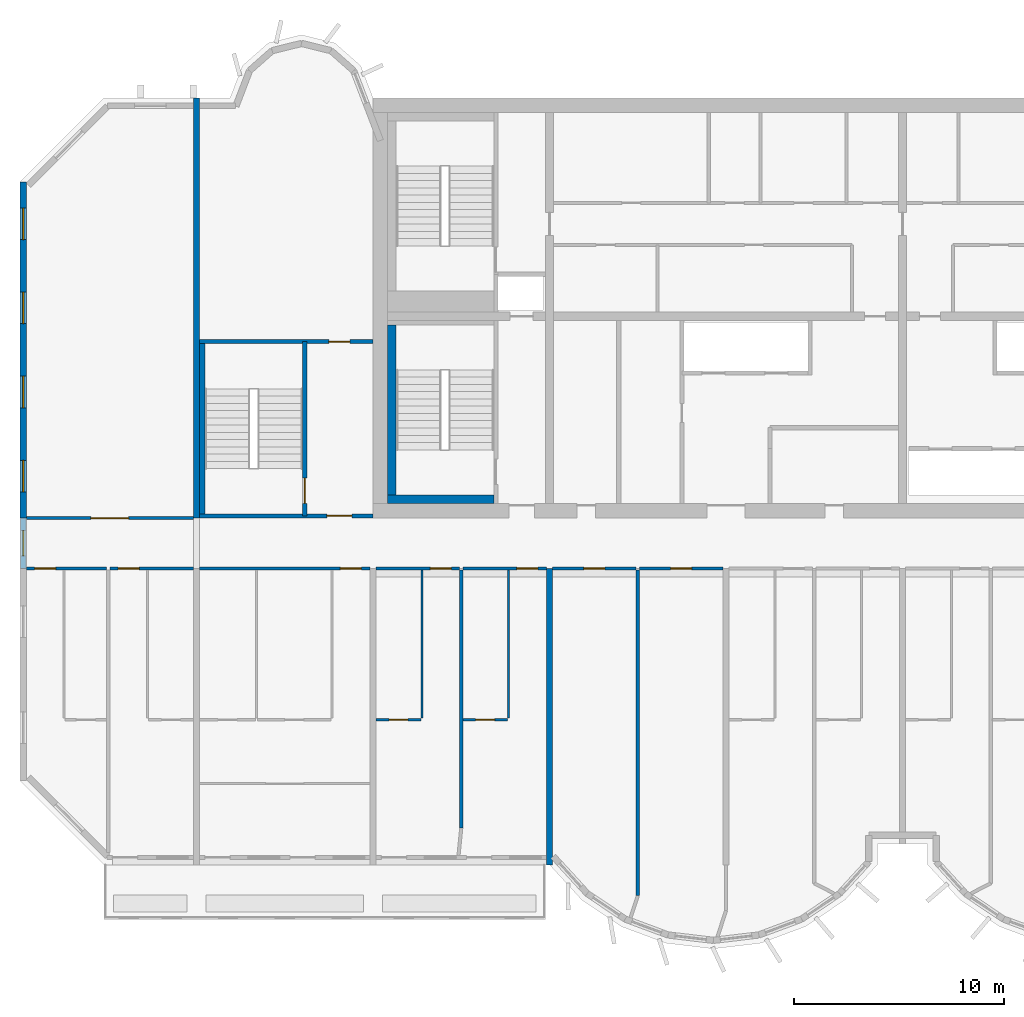
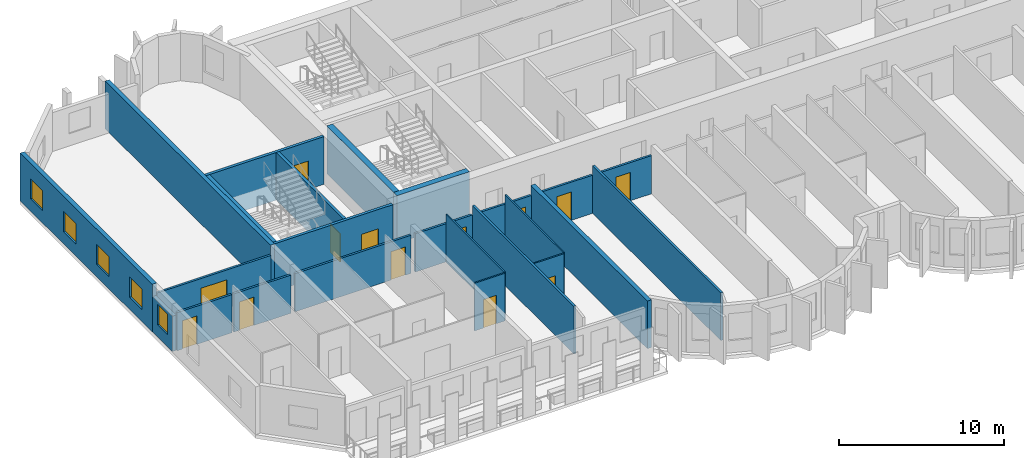
# One storey, part 3 of 13: 24 walls, 13 doors, 5 windows, 18 openings.
"""IFC4 building model written with IfcOpenShell, lengths in metres."""

from ifc_helpers import new_model, si_unit, direction, frame, frame_2d, origin, place, context, subcontext, project, spatial, rectangle, extrude, source, transform, mapped, material, layer, layer_set, type_object, element, fill, save


model = new_model("IFC4")

# Units and contexts
model_context = context("Model", 3, precision=1e-05, world=origin(), true_north=direction((0.0, 1.0)))
body_context = subcontext(model_context, "Body", "Model", "MODEL_VIEW")
ifc_project = project(units=[si_unit("LENGTHUNIT", "METRE"), si_unit("AREAUNIT", "SQUARE_METRE"), si_unit("VOLUMEUNIT", "CUBIC_METRE"), si_unit("PLANEANGLEUNIT", "RADIAN"), si_unit("MASSUNIT", "GRAM", prefix="KILO")], contexts=[model_context])

# Site, building, storey
site_placement = place(None, origin())
site = spatial("IfcSite", under=ifc_project, at=site_placement, CompositionType="ELEMENT")
building_placement = place(site_placement, origin())
building = spatial("IfcBuilding", under=site, at=building_placement, Name="Vanashikhar Sky Hotel", CompositionType="ELEMENT")
storey_placement = place(building_placement, frame((0.0, 0.0, 170.60009765625)))
storey = spatial("IfcBuildingStorey", under=building, at=storey_placement, Name="L41", CompositionType="ELEMENT", Elevation=170.60009765625)

# Wall, openings, windows
ifc_material_1 = material(Name="Concrete M60", Category="concrete")
ifc_layer_1 = layer(ifc_material_1, 0.300048828125)
ifc_layer_set_1 = layer_set([ifc_layer_1], Name="RC shear wall 300 Concrete M60")
wall_type_1 = type_object("IfcWallType", Name="RC shear wall 300 Concrete M60", PredefinedType="SHEAR", material=ifc_layer_set_1)
shared_shape_1 = source(origin(), body_context, "Body", "SweptSolid", [
    extrude(rectangle(XDim=16.0, YDim=0.300048828125, at=frame_2d((8.0, 0.0))), origin(), (0.0, 0.0, 1.0), 3.52001953125),
])
wall_1_placement = place(storey_placement, frame((8.550048828125, 22.0, 0.0), z_axis=(0.0, 0.0, 1.0), x_axis=(0.0, 1.0, 0.0)))
wall_1 = element("IfcWall", 1, at=wall_1_placement, inside=storey, type_object=wall_type_1, Name="CW-L41-XW02-2", PredefinedType="SHEAR", context=body_context, shape_type="MappedRepresentation", body=[
    mapped(shared_shape_1, transform((0.0, 0.0, 0.0), scale=1.0)),
])
shared_shape_2 = source(origin(), body_context, "Body", "SweptSolid", [
    extrude(rectangle(XDim=1.5, YDim=1.5, at=frame_2d((0.75, 0.75))), frame((0.0, 0.16015625, 0.0), z_axis=(0.0, -1.0, 0.0), x_axis=(1.0, 0.0, 0.0)), (0.0, 0.0, 1.0), 0.320068359375),
])
opening_1_placement = place(wall_1_placement, frame((1.25, 0.0, 0.89990234375)))
opening_1 = element("IfcOpeningElement", 2, at=opening_1_placement, cuts=wall_1, Name="Opening WN-1", PredefinedType="OPENING", context=body_context, shape_type="MappedRepresentation", body=[
    mapped(shared_shape_2, transform((0.0, 0.0, 0.0), scale=1.0)),
])
opening_2_placement = place(wall_1_placement, frame((5.25, 0.0, 0.89990234375)))
opening_2 = element("IfcOpeningElement", 3, at=opening_2_placement, cuts=wall_1, Name="Opening WN-1", PredefinedType="OPENING", context=body_context, shape_type="MappedRepresentation", body=[
    mapped(shared_shape_2, transform((0.0, 0.0, 0.0), scale=1.0)),
])
opening_3_placement = place(wall_1_placement, frame((9.25, 0.0, 0.89990234375)))
opening_3 = element("IfcOpeningElement", 4, at=opening_3_placement, cuts=wall_1, Name="Opening WN-1", PredefinedType="OPENING", context=body_context, shape_type="MappedRepresentation", body=[
    mapped(shared_shape_2, transform((0.0, 0.0, 0.0), scale=1.0)),
])
opening_4_placement = place(wall_1_placement, frame((13.25, 0.0, 0.89990234375)))
opening_4 = element("IfcOpeningElement", 5, at=opening_4_placement, cuts=wall_1, Name="Opening WN-1", PredefinedType="OPENING", context=body_context, shape_type="MappedRepresentation", body=[
    mapped(shared_shape_2, transform((0.0, 0.0, 0.0), scale=1.0)),
])
ifc_material_2 = material(Name="Glass", Category="glass")
window_type_1 = type_object("IfcWindowType", Name="Window 1500 x 1500", PartitioningType="SINGLE_PANEL", PredefinedType="WINDOW", material=ifc_material_2)
shared_shape_3 = source(origin(), body_context, "Body", "SweptSolid", [
    extrude(rectangle(XDim=1.5, YDim=1.5, at=frame_2d((0.75, 0.75))), frame((0.0, 0.030029296875, 0.0), z_axis=(0.0, -1.0, 0.0), x_axis=(1.0, 0.0, 0.0)), (0.0, 0.0, 1.0), 0.06005859375),
])
window_1_placement = place(opening_1_placement, origin())
window_1 = element("IfcWindow", 6, at=window_1_placement, inside=storey, type_object=window_type_1, Name="Window WN-1", OverallHeight=1.5, OverallWidth=1.5, PartitioningType="SINGLE_PANEL", PredefinedType="WINDOW", context=body_context, shape_type="MappedRepresentation", body=[
    mapped(shared_shape_3, transform((0.0, 0.0, 0.0), scale=1.0)),
])
fill(opening_1, window_1)
window_2_placement = place(opening_2_placement, origin())
window_2 = element("IfcWindow", 7, at=window_2_placement, inside=storey, type_object=window_type_1, Name="Window WN-1", OverallHeight=1.5, OverallWidth=1.5, PartitioningType="SINGLE_PANEL", PredefinedType="WINDOW", context=body_context, shape_type="MappedRepresentation", body=[
    mapped(shared_shape_3, transform((0.0, 0.0, 0.0), scale=1.0)),
])
fill(opening_2, window_2)
window_3_placement = place(opening_3_placement, origin())
window_3 = element("IfcWindow", 8, at=window_3_placement, inside=storey, type_object=window_type_1, Name="Window WN-1", OverallHeight=1.5, OverallWidth=1.5, PartitioningType="SINGLE_PANEL", PredefinedType="WINDOW", context=body_context, shape_type="MappedRepresentation", body=[
    mapped(shared_shape_3, transform((0.0, 0.0, 0.0), scale=1.0)),
])
fill(opening_3, window_3)
window_4_placement = place(opening_4_placement, origin())
window_4 = element("IfcWindow", 9, at=window_4_placement, inside=storey, type_object=window_type_1, Name="Window WN-1", OverallHeight=1.5, OverallWidth=1.5, PartitioningType="SINGLE_PANEL", PredefinedType="WINDOW", context=body_context, shape_type="MappedRepresentation", body=[
    mapped(shared_shape_3, transform((0.0, 0.0, 0.0), scale=1.0)),
])
fill(opening_4, window_4)

# Walls
shared_shape_4 = source(origin(), body_context, "Body", "SweptSolid", [
    extrude(rectangle(XDim=14.10009765625, YDim=0.300048828125, at=frame_2d((7.050048828125, 0.0))), origin(), (0.0, 0.0, 1.0), 3.52001953125),
])
wall_2_placement = place(storey_placement, frame((33.60009765625, 5.5, 0.0), z_axis=(0.0, 0.0, 1.0), x_axis=(0.0, 1.0, 0.0)))
element("IfcWall", 10, at=wall_2_placement, inside=storey, type_object=wall_type_1, Name="CW-L41-XW05-1", PredefinedType="SHEAR", context=body_context, shape_type="MappedRepresentation", body=[
    mapped(shared_shape_4, transform((0.0, 0.0, 0.0), scale=1.0)),
])
shared_shape_5 = source(origin(), body_context, "Body", "SweptSolid", [
    extrude(rectangle(XDim=20.0, YDim=0.300048828125, at=frame_2d((10.0, 0.0))), origin(), (0.0, 0.0, 1.0), 3.52001953125),
])
wall_3_placement = place(storey_placement, frame((16.800048828125, 22.0, 0.0), z_axis=(0.0, 0.0, 1.0), x_axis=(0.0, 1.0, 0.0)))
element("IfcWall", 11, at=wall_3_placement, inside=storey, type_object=wall_type_1, Name="CW-L41-XW03-2", PredefinedType="SHEAR", context=body_context, shape_type="MappedRepresentation", body=[
    mapped(shared_shape_5, transform((0.0, 0.0, 0.0), scale=1.0)),
])

# Wall, opening, window
ifc_material_3 = material(Name="Concrete M50", Category="concrete")
ifc_layer_2 = layer(ifc_material_3, 0.25)
ifc_layer_set_2 = layer_set([ifc_layer_2], Name="Rear and end board-marked wall 250")
wall_type_2 = type_object("IfcWallType", Name="Rear and end board-marked wall 250", PredefinedType="SOLIDWALL", material=ifc_layer_set_2)
shared_shape_6 = source(origin(), body_context, "Body", "SweptSolid", [
    extrude(rectangle(XDim=2.39990234375, YDim=0.25, at=frame_2d((1.199951171875, 0.0))), origin(), (0.0, 0.0, 1.0), 2.619873046875),
])
wall_4_placement = place(storey_placement, frame((8.550048828125, 19.60009765625, 0.0), z_axis=(0.0, 0.0, 1.0), x_axis=(0.0, 1.0, 0.0)))
wall_4 = element("IfcWall", 12, at=wall_4_placement, inside=storey, type_object=wall_type_2, Name="End corridor infill wall", PredefinedType="SOLIDWALL", context=body_context, shape_type="MappedRepresentation", body=[
    mapped(shared_shape_6, transform((0.0, 0.0, 0.0), scale=1.0)),
])
shared_shape_7 = source(origin(), body_context, "Body", "SweptSolid", [
    extrude(rectangle(XDim=1.199951171875, YDim=1.5, at=frame_2d((0.60009765625, 0.75))), frame((0.0, 0.135009765625, 0.0), z_axis=(0.0, -1.0, 0.0), x_axis=(1.0, 0.0, 0.0)), (0.0, 0.0, 1.0), 0.27001953125),
])
opening_5_placement = place(wall_4_placement, frame((0.60009765625, 0.0, 0.89990234375)))
opening_5 = element("IfcOpeningElement", 13, at=opening_5_placement, cuts=wall_4, Name="Opening WN-3", PredefinedType="OPENING", context=body_context, shape_type="MappedRepresentation", body=[
    mapped(shared_shape_7, transform((0.0, 0.0, 0.0), scale=1.0)),
])
window_type_2 = type_object("IfcWindowType", Name="Corridor end window 1200 x 1500", PartitioningType="SINGLE_PANEL", PredefinedType="WINDOW", material=ifc_material_2)
shared_shape_8 = source(origin(), body_context, "Body", "SweptSolid", [
    extrude(rectangle(XDim=1.199951171875, YDim=1.5, at=frame_2d((0.60009765625, 0.75))), frame((0.0, 0.030029296875, 0.0), z_axis=(0.0, -1.0, 0.0), x_axis=(1.0, 0.0, 0.0)), (0.0, 0.0, 1.0), 0.06005859375),
])
window_5_placement = place(opening_5_placement, origin())
window_5 = element("IfcWindow", 14, at=window_5_placement, inside=storey, type_object=window_type_2, Name="Window WN-3", OverallHeight=1.5, OverallWidth=1.199951171875, PartitioningType="SINGLE_PANEL", PredefinedType="WINDOW", context=body_context, shape_type="MappedRepresentation", body=[
    mapped(shared_shape_8, transform((0.0, 0.0, 0.0), scale=1.0)),
])
fill(opening_5, window_5)

# Wall, opening, door
ifc_layer_3 = layer(ifc_material_3, 0.199951171875)
ifc_layer_set_3 = layer_set([ifc_layer_3], Name="Stair wall 200")
wall_type_3 = type_object("IfcWallType", Name="Stair wall 200", PredefinedType="SOLIDWALL", material=ifc_layer_set_3)
shared_shape_9 = source(origin(), body_context, "Body", "SweptSolid", [
    extrude(rectangle(XDim=8.2998046875, YDim=0.199951171875, at=frame_2d((4.14990234375, 0.0))), origin(), (0.0, 0.0, 1.0), 3.52001953125),
])
wall_5_placement = place(storey_placement, frame((21.949951171875, 22.10009765625, 0.0), z_axis=(0.0, 0.0, 1.0), x_axis=(0.0, 1.0, 0.0)))
wall_5 = element("IfcWall", 15, at=wall_5_placement, inside=storey, type_object=wall_type_3, Name="Stair wall 200", PredefinedType="SOLIDWALL", context=body_context, shape_type="MappedRepresentation", body=[
    mapped(shared_shape_9, transform((0.0, 0.0, 0.0), scale=1.0)),
])
shared_shape_10 = source(origin(), body_context, "Body", "SweptSolid", [
    extrude(rectangle(XDim=1.199951171875, YDim=2.10009765625, at=frame_2d((0.60009765625, 1.050048828125))), frame((0.0, 0.10986328125, 0.0), z_axis=(0.0, -1.0, 0.0), x_axis=(1.0, 0.0, 0.0)), (0.0, 0.0, 1.0), 0.219970703125),
])
opening_6_placement = place(wall_5_placement, frame((0.60009765625, 0.0, 0.0)))
opening_6 = element("IfcOpeningElement", 16, at=opening_6_placement, cuts=wall_5, Name="Opening DC-1", PredefinedType="OPENING", context=body_context, shape_type="MappedRepresentation", body=[
    mapped(shared_shape_10, transform((0.0, 0.0, 0.0), scale=1.0)),
])
ifc_material_4 = material(Name="Steel", Category="steel")
door_type_1 = type_object("IfcDoorType", Name="Stair door 1200 FD120", OperationType="NOTDEFINED", PredefinedType="DOOR", material=ifc_material_4)
shared_shape_11 = source(origin(), body_context, "Body", "SweptSolid", [
    extrude(rectangle(XDim=1.199951171875, YDim=2.10009765625, at=frame_2d((0.60009765625, 1.050048828125))), frame((0.0, 0.02490234375, 0.0), z_axis=(0.0, -1.0, 0.0), x_axis=(1.0, 0.0, 0.0)), (0.0, 0.0, 1.0), 0.050048828125),
])
door_1_placement = place(opening_6_placement, origin())
door_1 = element("IfcDoor", 17, at=door_1_placement, inside=storey, type_object=door_type_1, Name="Stair door 1200 FD120", OperationType="SINGLE_SWING_RIGHT", OverallHeight=2.10009765625, OverallWidth=1.199951171875, PredefinedType="DOOR", context=body_context, shape_type="MappedRepresentation", body=[
    mapped(shared_shape_11, transform((0.0, 0.0, 0.0), scale=1.0)),
])
fill(opening_6, door_1)

shared_shape_12 = source(origin(), body_context, "Body", "SweptSolid", [
    extrude(rectangle(XDim=8.25, YDim=0.199951171875, at=frame_2d((4.125, 0.0))), origin(), (0.0, 0.0, 1.0), 3.52001953125),
])
wall_6_placement = place(storey_placement, frame((16.949951171875, 22.10009765625, 0.0), z_axis=(0.0, 0.0, 1.0), x_axis=(1.0, 0.0, 0.0)))
wall_6 = element("IfcWall", 18, at=wall_6_placement, inside=storey, type_object=wall_type_3, Name="Stair wall 200", PredefinedType="SOLIDWALL", context=body_context, shape_type="MappedRepresentation", body=[
    mapped(shared_shape_12, transform((0.0, 0.0, 0.0), scale=1.0)),
])
opening_7_placement = place(wall_6_placement, frame((6.050048828125, 0.0, 0.0)))
opening_7 = element("IfcOpeningElement", 19, at=opening_7_placement, cuts=wall_6, Name="Opening DC-2", PredefinedType="OPENING", context=body_context, shape_type="MappedRepresentation", body=[
    mapped(shared_shape_10, transform((0.0, 0.0, 0.0), scale=1.0)),
])
door_type_2 = type_object("IfcDoorType", Name="Firefighting lobby door 1200 FD120", OperationType="NOTDEFINED", PredefinedType="DOOR", material=ifc_material_4)
door_2_placement = place(opening_7_placement, origin())
door_2 = element("IfcDoor", 20, at=door_2_placement, inside=storey, type_object=door_type_2, Name="Firefighting lobby door 1200 FD120", OperationType="SINGLE_SWING_LEFT", OverallHeight=2.10009765625, OverallWidth=1.199951171875, PredefinedType="DOOR", context=body_context, shape_type="MappedRepresentation", body=[
    mapped(shared_shape_11, transform((0.0, 0.0, 0.0), scale=1.0)),
])
fill(opening_7, door_2)

wall_7_placement = place(storey_placement, frame((16.949951171875, 30.39990234375, 0.0), z_axis=(0.0, 0.0, 1.0), x_axis=(1.0, 0.0, 0.0)))
wall_7 = element("IfcWall", 21, at=wall_7_placement, inside=storey, type_object=wall_type_3, Name="Stair wall 200", PredefinedType="SOLIDWALL", context=body_context, shape_type="MappedRepresentation", body=[
    mapped(shared_shape_12, transform((0.0, 0.0, 0.0), scale=1.0)),
])
shared_shape_13 = source(origin(), body_context, "Body", "SweptSolid", [
    extrude(rectangle(XDim=1.0, YDim=2.10009765625, at=frame_2d((0.5, 1.050048828125))), frame((0.0, 0.10986328125, 0.0), z_axis=(0.0, -1.0, 0.0), x_axis=(1.0, 0.0, 0.0)), (0.0, 0.0, 1.0), 0.219970703125),
])
opening_8_placement = place(wall_7_placement, frame((6.14990234375, 0.0, 0.0)))
opening_8 = element("IfcOpeningElement", 22, at=opening_8_placement, cuts=wall_7, Name="Opening DC-6", PredefinedType="OPENING", context=body_context, shape_type="MappedRepresentation", body=[
    mapped(shared_shape_13, transform((0.0, 0.0, 0.0), scale=1.0)),
])
door_type_3 = type_object("IfcDoorType", Name="Pocket door 1000 FD60", OperationType="NOTDEFINED", PredefinedType="DOOR", material=ifc_material_4)
shared_shape_14 = source(origin(), body_context, "Body", "SweptSolid", [
    extrude(rectangle(XDim=1.0, YDim=2.10009765625, at=frame_2d((0.5, 1.050048828125))), frame((0.0, 0.02490234375, 0.0), z_axis=(0.0, -1.0, 0.0), x_axis=(1.0, 0.0, 0.0)), (0.0, 0.0, 1.0), 0.050048828125),
])
door_3_placement = place(opening_8_placement, origin())
door_3 = element("IfcDoor", 23, at=door_3_placement, inside=storey, type_object=door_type_3, Name="Pocket door 1000 FD60", OperationType="SINGLE_SWING_LEFT", OverallHeight=2.10009765625, OverallWidth=1.0, PredefinedType="DOOR", context=body_context, shape_type="MappedRepresentation", body=[
    mapped(shared_shape_14, transform((0.0, 0.0, 0.0), scale=1.0)),
])
fill(opening_8, door_3)

# Walls
ifc_layer_4 = layer(ifc_material_3, 0.39990234375)
ifc_layer_set_4 = layer_set([ifc_layer_4], Name="Stair infill wall 400")
wall_type_4 = type_object("IfcWallType", Name="Stair infill wall 400", PredefinedType="SOLIDWALL", material=ifc_layer_set_4)
shared_shape_15 = source(origin(), body_context, "Body", "SweptSolid", [
    extrude(rectangle(XDim=5.050048828125, YDim=0.39990234375, at=frame_2d((2.52490234375, 0.0))), origin(), (0.0, 0.0, 1.0), 3.52001953125),
])
wall_8_placement = place(storey_placement, frame((25.89990234375, 22.89990234375, 0.0), z_axis=(0.0, 0.0, 1.0), x_axis=(1.0, 0.0, 0.0)))
element("IfcWall", 24, at=wall_8_placement, inside=storey, type_object=wall_type_4, Name="Stair infill wall 400", PredefinedType="SOLIDWALL", context=body_context, shape_type="MappedRepresentation", body=[
    mapped(shared_shape_15, transform((0.0, 0.0, 0.0), scale=1.0)),
])
shared_shape_16 = source(origin(), body_context, "Body", "SweptSolid", [
    extrude(rectangle(XDim=8.099853515625, YDim=0.39990234375, at=frame_2d((4.0498046875, 0.0))), origin(), (0.0, 0.0, 1.0), 3.52001953125),
])
wall_9_placement = place(storey_placement, frame((26.10009765625, 23.10009765625, 0.0), z_axis=(0.0, 0.0, 1.0), x_axis=(0.0, 1.0, 0.0)))
element("IfcWall", 25, at=wall_9_placement, inside=storey, type_object=wall_type_4, Name="Stair infill wall 400", PredefinedType="SOLIDWALL", context=body_context, shape_type="MappedRepresentation", body=[
    mapped(shared_shape_16, transform((0.0, 0.0, 0.0), scale=1.0)),
])
ifc_layer_5 = layer(ifc_material_3, 0.25)
ifc_layer_set_5 = layer_set([ifc_layer_5], Name="Stair infill wall 250")
wall_type_5 = type_object("IfcWallType", Name="Stair infill wall 250", PredefinedType="SOLIDWALL", material=ifc_layer_set_5)
shared_shape_17 = source(origin(), body_context, "Body", "SweptSolid", [
    extrude(rectangle(XDim=8.10009765625, YDim=0.25, at=frame_2d((4.050048828125, 0.0))), origin(), (0.0, 0.0, 1.0), 3.52001953125),
])
wall_10_placement = place(storey_placement, frame((17.074951171875, 22.199951171875, 0.0), z_axis=(0.0, 0.0, 1.0), x_axis=(0.0, 1.0, 0.0)))
element("IfcWall", 26, at=wall_10_placement, inside=storey, type_object=wall_type_5, Name="Stair infill wall 250", PredefinedType="SOLIDWALL", context=body_context, shape_type="MappedRepresentation", body=[
    mapped(shared_shape_17, transform((0.0, 0.0, 0.0), scale=1.0)),
])
ifc_material_5 = material(Name="Gypsum plasterboard partition")
ifc_layer_6 = layer(ifc_material_5, 0.10009765625)
ifc_layer_set_6 = layer_set([ifc_layer_6], Name="Wet room partition 100")
wall_type_6 = type_object("IfcWallType", Name="Wet room partition 100", PredefinedType="PARTITIONING", material=ifc_layer_set_6)
shared_shape_18 = source(origin(), body_context, "Body", "SweptSolid", [
    extrude(rectangle(XDim=7.0498046875, YDim=0.10009765625, at=frame_2d((3.52490234375, 0.0))), origin(), (0.0, 0.0, 1.0), 3.52001953125),
])
for number, where, z_axis, x_axis, name in (
    (27, (27.52490234375, 12.47509765625, 0.0), (0.0, 0.0, 1.0), (0.0, 1.0, 0.0), "W-L41-PW014"),
    (28, (31.64990234375, 12.47509765625, 0.0), (0.0, 0.0, 1.0), (0.0, 1.0, 0.0), "W-L41-PW017"),
):
    element("IfcWall", number, at=place(storey_placement, frame(where, z_axis=z_axis, x_axis=x_axis)), inside=storey, type_object=wall_type_6, Name=name, PredefinedType="PARTITIONING", context=body_context, shape_type="MappedRepresentation", body=[
        mapped(shared_shape_18, transform((0.0, 0.0, 0.0), scale=1.0)),
    ])
ifc_layer_7 = layer(ifc_material_5, 0.14990234375)
ifc_layer_set_7 = layer_set([ifc_layer_7], Name="Corridor and demising partition 150")
wall_type_7 = type_object("IfcWallType", Name="Corridor and demising partition 150", PredefinedType="PARTITIONING", material=ifc_layer_set_7)
shared_shape_19 = source(origin(), body_context, "Body", "SweptSolid", [
    extrude(rectangle(XDim=12.27490234375, YDim=0.14990234375, at=frame_2d((6.137451171875, 0.0))), origin(), (0.0, 0.0, 1.0), 3.52001953125),
])
wall_11_placement = place(storey_placement, frame((29.39990234375, 7.25, 0.0), z_axis=(0.0, 0.0, 1.0), x_axis=(0.0, 1.0, 0.0)))
element("IfcWall", 29, at=wall_11_placement, inside=storey, type_object=wall_type_7, Name="W-L41-PW020", PredefinedType="PARTITIONING", context=body_context, shape_type="MappedRepresentation", body=[
    mapped(shared_shape_19, transform((0.0, 0.0, 0.0), scale=1.0)),
])
shared_shape_20 = source(origin(), body_context, "Body", "SweptSolid", [
    extrude(rectangle(XDim=15.497802734375, YDim=0.14990234375, at=frame_2d((7.7490234375, 0.0))), origin(), (0.0, 0.0, 1.0), 3.52001953125),
])
wall_12_placement = place(storey_placement, frame((37.800048828125, 4.027099609375, 0.0), z_axis=(0.0, 0.0, 1.0), x_axis=(0.0, 1.0, 0.0)))
element("IfcWall", 30, at=wall_12_placement, inside=storey, type_object=wall_type_7, Name="W-L41-PW023", PredefinedType="PARTITIONING", context=body_context, shape_type="MappedRepresentation", body=[
    mapped(shared_shape_20, transform((0.0, 0.0, 0.0), scale=1.0)),
])

# Wall, opening, door
shared_shape_21 = source(origin(), body_context, "Body", "SweptSolid", [
    extrude(rectangle(XDim=7.949951171875, YDim=0.14990234375, at=frame_2d((3.97509765625, 0.0))), origin(), (0.0, 0.0, 1.0), 2.81982421875),
])
wall_13_placement = place(storey_placement, frame((8.699951171875, 22.0, 0.0), z_axis=(0.0, 0.0, 1.0), x_axis=(1.0, 0.0, 0.0)))
wall_13 = element("IfcWall", 31, at=wall_13_placement, inside=storey, type_object=wall_type_7, Name="W-L41-PW059", PredefinedType="PARTITIONING", context=body_context, shape_type="MappedRepresentation", body=[
    mapped(shared_shape_21, transform((0.0, 0.0, 0.0), scale=1.0)),
])
shared_shape_22 = source(origin(), body_context, "Body", "SweptSolid", [
    extrude(rectangle(XDim=1.800048828125, YDim=2.10009765625, at=frame_2d((0.89990234375, 1.050048828125))), frame((0.0, 0.0849609375, 0.0), z_axis=(0.0, -1.0, 0.0), x_axis=(1.0, 0.0, 0.0)), (0.0, 0.0, 1.0), 0.169921875),
])
opening_9_placement = place(wall_13_placement, frame((3.074951171875, 0.0, 0.0)))
opening_9 = element("IfcOpeningElement", 32, at=opening_9_placement, cuts=wall_13, Name="Opening D-03", PredefinedType="OPENING", context=body_context, shape_type="MappedRepresentation", body=[
    mapped(shared_shape_22, transform((0.0, 0.0, 0.0), scale=1.0)),
])
ifc_material_6 = material(Name="Timber fire door", Category="wood")
door_type_4 = type_object("IfcDoorType", Name="Double leaf door 1800 FD30S", OperationType="NOTDEFINED", PredefinedType="DOOR", material=ifc_material_6)
shared_shape_23 = source(origin(), body_context, "Body", "SweptSolid", [
    extrude(rectangle(XDim=1.800048828125, YDim=2.10009765625, at=frame_2d((0.89990234375, 1.050048828125))), frame((0.0, 0.02490234375, 0.0), z_axis=(0.0, -1.0, 0.0), x_axis=(1.0, 0.0, 0.0)), (0.0, 0.0, 1.0), 0.050048828125),
])
door_4_placement = place(opening_9_placement, origin())
door_4 = element("IfcDoor", 33, at=door_4_placement, inside=storey, type_object=door_type_4, Name="D-L41-035", OperationType="DOUBLE_DOOR_SINGLE_SWING", OverallHeight=2.10009765625, OverallWidth=1.800048828125, PredefinedType="DOOR", context=body_context, shape_type="MappedRepresentation", body=[
    mapped(shared_shape_23, transform((0.0, 0.0, 0.0), scale=1.0)),
])
fill(opening_9, door_4)

shared_shape_24 = source(origin(), body_context, "Body", "SweptSolid", [
    extrude(rectangle(XDim=8.10009765625, YDim=0.14990234375, at=frame_2d((4.050048828125, 0.0))), origin(), (0.0, 0.0, 1.0), 2.81982421875),
])
wall_14_placement = place(storey_placement, frame((16.949951171875, 19.60009765625, 0.0), z_axis=(0.0, 0.0, 1.0), x_axis=(1.0, 0.0, 0.0)))
wall_14 = element("IfcWall", 34, at=wall_14_placement, inside=storey, type_object=wall_type_7, Name="W-L41-PW013", PredefinedType="PARTITIONING", context=body_context, shape_type="MappedRepresentation", body=[
    mapped(shared_shape_24, transform((0.0, 0.0, 0.0), scale=1.0)),
])
shared_shape_25 = source(origin(), body_context, "Body", "SweptSolid", [
    extrude(rectangle(XDim=1.0, YDim=2.10009765625, at=frame_2d((0.5, 1.050048828125))), frame((0.0, 0.0849609375, 0.0), z_axis=(0.0, -1.0, 0.0), x_axis=(1.0, 0.0, 0.0)), (0.0, 0.0, 1.0), 0.169921875),
])
opening_10_placement = place(wall_14_placement, frame((6.699951171875, 0.0, 0.0)))
opening_10 = element("IfcOpeningElement", 35, at=opening_10_placement, cuts=wall_14, Name="Opening D-01", PredefinedType="OPENING", context=body_context, shape_type="MappedRepresentation", body=[
    mapped(shared_shape_25, transform((0.0, 0.0, 0.0), scale=1.0)),
])
door_type_5 = type_object("IfcDoorType", Name="Guest entry door 1000 FD30S", OperationType="NOTDEFINED", PredefinedType="DOOR", material=ifc_material_6)
door_5_placement = place(opening_10_placement, origin())
door_5 = element("IfcDoor", 36, at=door_5_placement, inside=storey, type_object=door_type_5, Name="D-L41-008", OperationType="SINGLE_SWING_RIGHT", OverallHeight=2.10009765625, OverallWidth=1.0, PredefinedType="DOOR", context=body_context, shape_type="MappedRepresentation", body=[
    mapped(shared_shape_14, transform((0.0, 0.0, 0.0), scale=1.0)),
])
fill(opening_10, door_5)

shared_shape_26 = source(origin(), body_context, "Body", "SweptSolid", [
    extrude(rectangle(XDim=2.125, YDim=0.10009765625, at=frame_2d((1.0625, 0.0))), origin(), (0.0, 0.0, 1.0), 3.52001953125),
])
wall_15_placement = place(storey_placement, frame((25.35009765625, 12.39990234375, 0.0), z_axis=(0.0, 0.0, 1.0), x_axis=(1.0, 0.0, 0.0)))
wall_15 = element("IfcWall", 37, at=wall_15_placement, inside=storey, type_object=wall_type_6, Name="W-L41-PW015", PredefinedType="PARTITIONING", context=body_context, shape_type="MappedRepresentation", body=[
    mapped(shared_shape_26, transform((0.0, 0.0, 0.0), scale=1.0)),
])
shared_shape_27 = source(origin(), body_context, "Body", "SweptSolid", [
    extrude(rectangle(XDim=0.89990234375, YDim=2.10009765625, at=frame_2d((0.449951171875, 1.050048828125))), frame((0.0, 0.06005859375, 0.0), z_axis=(0.0, -1.0, 0.0), x_axis=(1.0, 0.0, 0.0)), (0.0, 0.0, 1.0), 0.1201171875),
])
opening_11_placement = place(wall_15_placement, frame((0.613037109375, 0.0, 0.0)))
opening_11 = element("IfcOpeningElement", 38, at=opening_11_placement, cuts=wall_15, Name="Opening D-02", PredefinedType="OPENING", context=body_context, shape_type="MappedRepresentation", body=[
    mapped(shared_shape_27, transform((0.0, 0.0, 0.0), scale=1.0)),
])
ifc_material_7 = material(Name="Timber door", Category="wood")
door_type_6 = type_object("IfcDoorType", Name="Internal door 900", OperationType="NOTDEFINED", PredefinedType="DOOR", material=ifc_material_7)
shared_shape_28 = source(origin(), body_context, "Body", "SweptSolid", [
    extrude(rectangle(XDim=0.89990234375, YDim=2.10009765625, at=frame_2d((0.449951171875, 1.050048828125))), frame((0.0, 0.02490234375, 0.0), z_axis=(0.0, -1.0, 0.0), x_axis=(1.0, 0.0, 0.0)), (0.0, 0.0, 1.0), 0.050048828125),
])
door_6_placement = place(opening_11_placement, origin())
door_6 = element("IfcDoor", 39, at=door_6_placement, inside=storey, type_object=door_type_6, Name="D-L41-009", OperationType="SINGLE_SWING_RIGHT", OverallHeight=2.10009765625, OverallWidth=0.89990234375, PredefinedType="DOOR", context=body_context, shape_type="MappedRepresentation", body=[
    mapped(shared_shape_28, transform((0.0, 0.0, 0.0), scale=1.0)),
])
fill(opening_11, door_6)

wall_16_placement = place(storey_placement, frame((29.47509765625, 12.39990234375, 0.0), z_axis=(0.0, 0.0, 1.0), x_axis=(1.0, 0.0, 0.0)))
wall_16 = element("IfcWall", 40, at=wall_16_placement, inside=storey, type_object=wall_type_6, Name="W-L41-PW018", PredefinedType="PARTITIONING", context=body_context, shape_type="MappedRepresentation", body=[
    mapped(shared_shape_26, transform((0.0, 0.0, 0.0), scale=1.0)),
])
opening_12_placement = place(wall_16_placement, frame((0.613037109375, 0.0, 0.0)))
opening_12 = element("IfcOpeningElement", 41, at=opening_12_placement, cuts=wall_16, Name="Opening D-02", PredefinedType="OPENING", context=body_context, shape_type="MappedRepresentation", body=[
    mapped(shared_shape_27, transform((0.0, 0.0, 0.0), scale=1.0)),
])
door_7_placement = place(opening_12_placement, origin())
door_7 = element("IfcDoor", 42, at=door_7_placement, inside=storey, type_object=door_type_6, Name="D-L41-011", OperationType="SINGLE_SWING_RIGHT", OverallHeight=2.10009765625, OverallWidth=0.89990234375, PredefinedType="DOOR", context=body_context, shape_type="MappedRepresentation", body=[
    mapped(shared_shape_28, transform((0.0, 0.0, 0.0), scale=1.0)),
])
fill(opening_12, door_7)

shared_shape_29 = source(origin(), body_context, "Body", "SweptSolid", [
    extrude(rectangle(XDim=3.974853515625, YDim=0.14990234375, at=frame_2d((1.9873046875, 0.0))), origin(), (0.0, 0.0, 1.0), 2.81982421875),
])
wall_17_placement = place(storey_placement, frame((12.675048828125, 19.60009765625, 0.0), z_axis=(0.0, 0.0, 1.0), x_axis=(1.0, 0.0, 0.0)))
wall_17 = element("IfcWall", 43, at=wall_17_placement, inside=storey, type_object=wall_type_7, Name="W-L41-PW006", PredefinedType="PARTITIONING", context=body_context, shape_type="MappedRepresentation", body=[
    mapped(shared_shape_29, transform((0.0, 0.0, 0.0), scale=1.0)),
])
opening_13_placement = place(wall_17_placement, frame((0.39990234375, 0.0, 0.0)))
opening_13 = element("IfcOpeningElement", 44, at=opening_13_placement, cuts=wall_17, Name="Opening D-01", PredefinedType="OPENING", context=body_context, shape_type="MappedRepresentation", body=[
    mapped(shared_shape_25, transform((0.0, 0.0, 0.0), scale=1.0)),
])
door_8_placement = place(opening_13_placement, origin())
door_8 = element("IfcDoor", 45, at=door_8_placement, inside=storey, type_object=door_type_5, Name="D-L41-004", OperationType="SINGLE_SWING_LEFT", OverallHeight=2.10009765625, OverallWidth=1.0, PredefinedType="DOOR", context=body_context, shape_type="MappedRepresentation", body=[
    mapped(shared_shape_14, transform((0.0, 0.0, 0.0), scale=1.0)),
])
fill(opening_13, door_8)

wall_18_placement = place(storey_placement, frame((25.35009765625, 19.60009765625, 0.0), z_axis=(0.0, 0.0, 1.0), x_axis=(1.0, 0.0, 0.0)))
wall_18 = element("IfcWall", 46, at=wall_18_placement, inside=storey, type_object=wall_type_7, Name="W-L41-PW016", PredefinedType="PARTITIONING", context=body_context, shape_type="MappedRepresentation", body=[
    mapped(shared_shape_29, transform((0.0, 0.0, 0.0), scale=1.0)),
])
opening_14_placement = place(wall_18_placement, frame((2.574951171875, 0.0, 0.0)))
opening_14 = element("IfcOpeningElement", 47, at=opening_14_placement, cuts=wall_18, Name="Opening D-01", PredefinedType="OPENING", context=body_context, shape_type="MappedRepresentation", body=[
    mapped(shared_shape_25, transform((0.0, 0.0, 0.0), scale=1.0)),
])
door_9_placement = place(opening_14_placement, origin())
door_9 = element("IfcDoor", 48, at=door_9_placement, inside=storey, type_object=door_type_5, Name="D-L41-010", OperationType="SINGLE_SWING_RIGHT", OverallHeight=2.10009765625, OverallWidth=1.0, PredefinedType="DOOR", context=body_context, shape_type="MappedRepresentation", body=[
    mapped(shared_shape_14, transform((0.0, 0.0, 0.0), scale=1.0)),
])
fill(opening_14, door_9)

wall_19_placement = place(storey_placement, frame((29.47509765625, 19.60009765625, 0.0), z_axis=(0.0, 0.0, 1.0), x_axis=(1.0, 0.0, 0.0)))
wall_19 = element("IfcWall", 49, at=wall_19_placement, inside=storey, type_object=wall_type_7, Name="W-L41-PW019", PredefinedType="PARTITIONING", context=body_context, shape_type="MappedRepresentation", body=[
    mapped(shared_shape_29, transform((0.0, 0.0, 0.0), scale=1.0)),
])
opening_15_placement = place(wall_19_placement, frame((2.574951171875, 0.0, 0.0)))
opening_15 = element("IfcOpeningElement", 50, at=opening_15_placement, cuts=wall_19, Name="Opening D-01", PredefinedType="OPENING", context=body_context, shape_type="MappedRepresentation", body=[
    mapped(shared_shape_25, transform((0.0, 0.0, 0.0), scale=1.0)),
])
door_10_placement = place(opening_15_placement, origin())
door_10 = element("IfcDoor", 51, at=door_10_placement, inside=storey, type_object=door_type_5, Name="D-L41-012", OperationType="SINGLE_SWING_RIGHT", OverallHeight=2.10009765625, OverallWidth=1.0, PredefinedType="DOOR", context=body_context, shape_type="MappedRepresentation", body=[
    mapped(shared_shape_14, transform((0.0, 0.0, 0.0), scale=1.0)),
])
fill(opening_15, door_10)

shared_shape_30 = source(origin(), body_context, "Body", "SweptSolid", [
    extrude(rectangle(XDim=3.97509765625, YDim=0.14990234375, at=frame_2d((1.987548828125, 0.0))), origin(), (0.0, 0.0, 1.0), 2.81982421875),
])
wall_20_placement = place(storey_placement, frame((33.75, 19.60009765625, 0.0), z_axis=(0.0, 0.0, 1.0), x_axis=(1.0, 0.0, 0.0)))
wall_20 = element("IfcWall", 52, at=wall_20_placement, inside=storey, type_object=wall_type_7, Name="W-L41-PW021", PredefinedType="PARTITIONING", context=body_context, shape_type="MappedRepresentation", body=[
    mapped(shared_shape_30, transform((0.0, 0.0, 0.0), scale=1.0)),
])
opening_16_placement = place(wall_20_placement, frame((1.487060546875, 0.0, 0.0)))
opening_16 = element("IfcOpeningElement", 53, at=opening_16_placement, cuts=wall_20, Name="Opening D-01", PredefinedType="OPENING", context=body_context, shape_type="MappedRepresentation", body=[
    mapped(shared_shape_25, transform((0.0, 0.0, 0.0), scale=1.0)),
])
door_11_placement = place(opening_16_placement, origin())
door_11 = element("IfcDoor", 54, at=door_11_placement, inside=storey, type_object=door_type_5, Name="D-L41-013", OperationType="SINGLE_SWING_LEFT", OverallHeight=2.10009765625, OverallWidth=1.0, PredefinedType="DOOR", context=body_context, shape_type="MappedRepresentation", body=[
    mapped(shared_shape_14, transform((0.0, 0.0, 0.0), scale=1.0)),
])
fill(opening_16, door_11)

wall_21_placement = place(storey_placement, frame((37.875, 19.60009765625, 0.0), z_axis=(0.0, 0.0, 1.0), x_axis=(1.0, 0.0, 0.0)))
wall_21 = element("IfcWall", 55, at=wall_21_placement, inside=storey, type_object=wall_type_7, Name="W-L41-PW022", PredefinedType="PARTITIONING", context=body_context, shape_type="MappedRepresentation", body=[
    mapped(shared_shape_30, transform((0.0, 0.0, 0.0), scale=1.0)),
])
opening_17_placement = place(wall_21_placement, frame((1.487060546875, 0.0, 0.0)))
opening_17 = element("IfcOpeningElement", 56, at=opening_17_placement, cuts=wall_21, Name="Opening D-01", PredefinedType="OPENING", context=body_context, shape_type="MappedRepresentation", body=[
    mapped(shared_shape_25, transform((0.0, 0.0, 0.0), scale=1.0)),
])
door_12_placement = place(opening_17_placement, origin())
door_12 = element("IfcDoor", 57, at=door_12_placement, inside=storey, type_object=door_type_5, Name="D-L41-014", OperationType="SINGLE_SWING_RIGHT", OverallHeight=2.10009765625, OverallWidth=1.0, PredefinedType="DOOR", context=body_context, shape_type="MappedRepresentation", body=[
    mapped(shared_shape_14, transform((0.0, 0.0, 0.0), scale=1.0)),
])
fill(opening_17, door_12)

shared_shape_31 = source(origin(), body_context, "Body", "SweptSolid", [
    extrude(rectangle(XDim=3.824951171875, YDim=0.14990234375, at=frame_2d((1.91259765625, 0.0))), origin(), (0.0, 0.0, 1.0), 2.81982421875),
])
wall_22_placement = place(storey_placement, frame((8.699951171875, 19.60009765625, 0.0), z_axis=(0.0, 0.0, 1.0), x_axis=(1.0, 0.0, 0.0)))
wall_22 = element("IfcWall", 58, at=wall_22_placement, inside=storey, type_object=wall_type_7, Name="W-L41-PW003", PredefinedType="PARTITIONING", context=body_context, shape_type="MappedRepresentation", body=[
    mapped(shared_shape_31, transform((0.0, 0.0, 0.0), scale=1.0)),
])
opening_18_placement = place(wall_22_placement, frame((0.39990234375, 0.0, 0.0)))
opening_18 = element("IfcOpeningElement", 59, at=opening_18_placement, cuts=wall_22, Name="Opening D-01", PredefinedType="OPENING", context=body_context, shape_type="MappedRepresentation", body=[
    mapped(shared_shape_25, transform((0.0, 0.0, 0.0), scale=1.0)),
])
door_13_placement = place(opening_18_placement, origin())
door_13 = element("IfcDoor", 60, at=door_13_placement, inside=storey, type_object=door_type_5, Name="D-L41-002", OperationType="SINGLE_SWING_LEFT", OverallHeight=2.10009765625, OverallWidth=1.0, PredefinedType="DOOR", context=body_context, shape_type="MappedRepresentation", body=[
    mapped(shared_shape_14, transform((0.0, 0.0, 0.0), scale=1.0)),
])
fill(opening_18, door_13)

save(model, "model.ifc")
